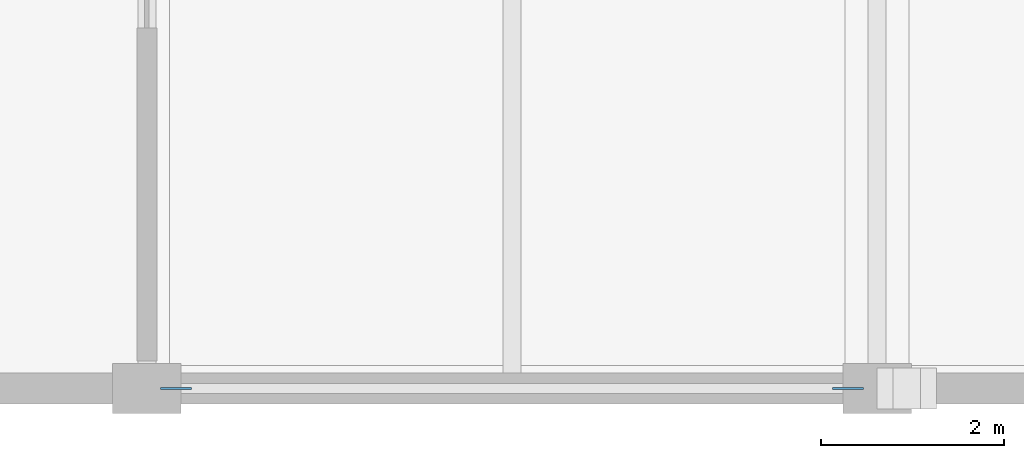
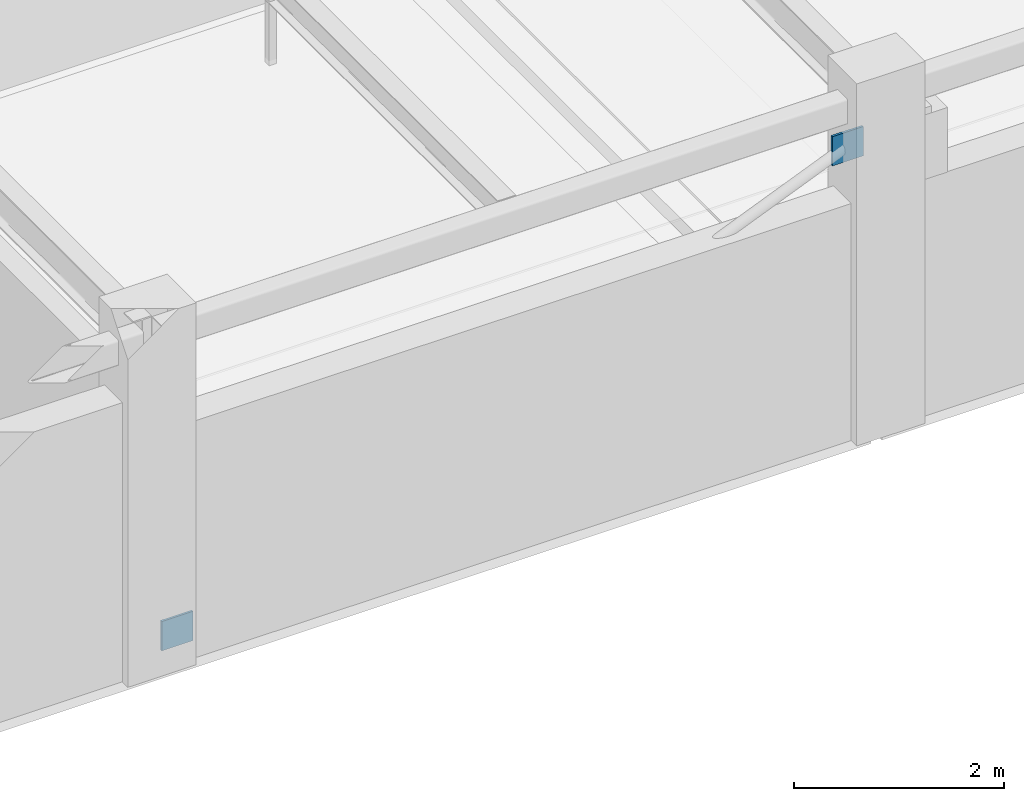
# One storey, part 92 of 126: 2 plates.
"""IFC4 building model written with IfcOpenShell, lengths in metres."""

from ifc_helpers import new_model, si_unit, direction, frame, origin, origin_2d, place, context, subcontext, project, spatial, rectangle, extrude, material, layer, layer_set, type_object, element, save


model = new_model("IFC4")

# Units and contexts
model_context = context("Model", 3, precision=1e-05, world=origin(), true_north=direction((0.0, 1.0)))
body_context = subcontext(model_context, "Body", "Model", "MODEL_VIEW")
ifc_project = project(units=[si_unit("LENGTHUNIT", "METRE"), si_unit("AREAUNIT", "SQUARE_METRE"), si_unit("VOLUMEUNIT", "CUBIC_METRE"), si_unit("PLANEANGLEUNIT", "RADIAN"), si_unit("MASSUNIT", "GRAM", prefix="KILO")], contexts=[model_context])

# Site, building, storey
site_placement = place(None, origin())
site = spatial("IfcSite", under=ifc_project, at=site_placement, CompositionType="ELEMENT")
building_placement = place(site_placement, origin())
building = spatial("IfcBuilding", under=site, at=building_placement, Name="Varnabhumi Central Station", CompositionType="ELEMENT")
storey_placement = place(building_placement, frame((0.0, 0.0, 16.199951171875)))
storey = spatial("IfcBuildingStorey", under=building, at=storey_placement, Name="L03", CompositionType="ELEMENT", Elevation=16.199951171875)

# Plates
ifc_material = material(Name="Structural steel E350", Category="steel")
ifc_layer = layer(ifc_material, 0.031982421875, Name="Structural steel E350", Category="steel")
ifc_layer_set = layer_set([ifc_layer], Name="Structural steel E350")
plate_type = type_object("IfcPlateType", Name="PLT-GUSSET-A", PredefinedType="USERDEFINED", material=ifc_layer_set)
for number, where, z_axis, x_axis, name in (
    (1, (112.320068359375, 0.0, 0.080078125), (0.0, 0.0, 1.0), (1.0, 0.0, 0.0), "Lateral Brace End Gusset WB-9-B"),
    (2, (119.679931640625, 0.0, 3.1298828125), (0.0, 0.0, 1.0), (1.0, 0.0, 0.0), "Lateral Brace End Gusset WB-9-T"),
):
    element("IfcPlate", number, at=place(storey_placement, frame(where, z_axis=z_axis, x_axis=x_axis)), inside=storey, type_object=plate_type, Name=name, ObjectType="GUSSET PLATE", PredefinedType="USERDEFINED", context=body_context, shape_type="SweptSolid", body=[
        extrude(rectangle(XDim=0.340087890625, YDim=0.02490234375, at=origin_2d()), origin(), (0.0, 0.0, 1.0), 0.340087890625),
    ])

save(model, "model.ifc")
